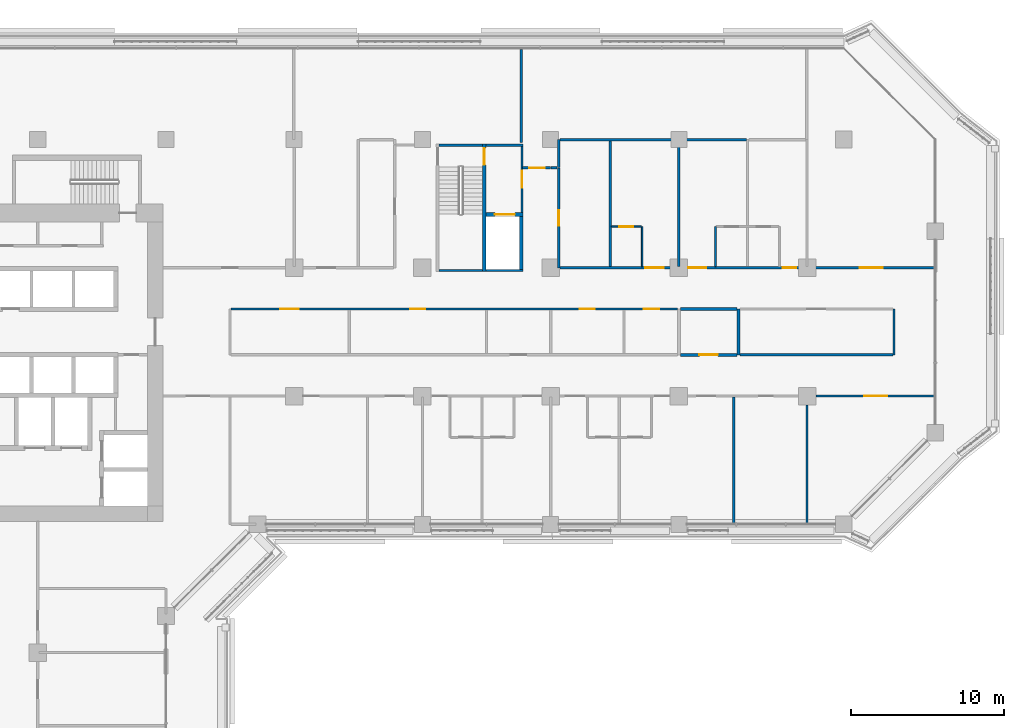
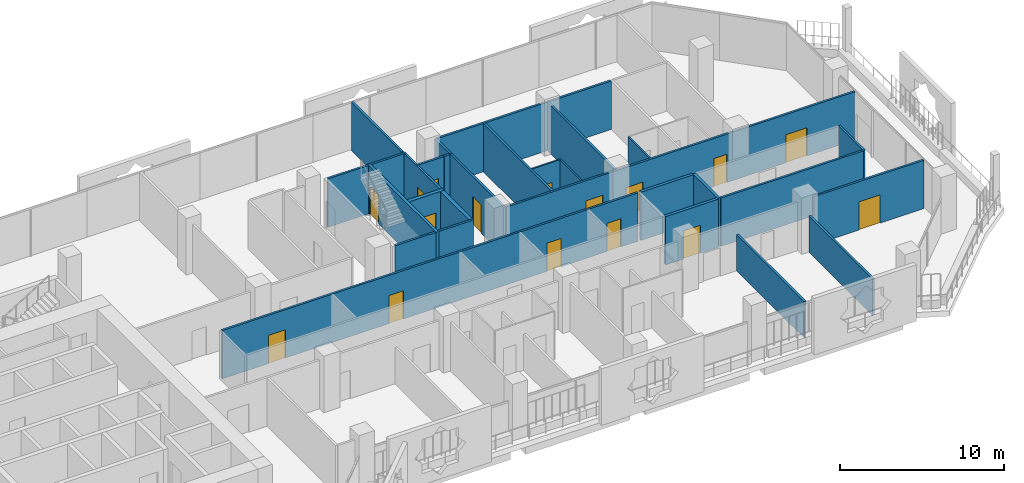
# One storey, part 16 of 25: 29 walls, 16 doors, 16 openings.
"""IFC4 building model written with IfcOpenShell, lengths in metres."""

from ifc_helpers import new_model, si_unit, direction, frame, frame_2d, origin, place, context, subcontext, project, spatial, rectangle, extrude, material, layer, layer_set, type_object, element, fill, save


model = new_model("IFC4")

# Units and contexts
model_context = context("Model", 3, precision=1e-05, world=origin(), true_north=direction((0.0, 1.0)))
body_context = subcontext(model_context, "Body", "Model", "MODEL_VIEW")
ifc_project = project(units=[si_unit("LENGTHUNIT", "METRE"), si_unit("AREAUNIT", "SQUARE_METRE"), si_unit("VOLUMEUNIT", "CUBIC_METRE"), si_unit("PLANEANGLEUNIT", "RADIAN"), si_unit("MASSUNIT", "GRAM", prefix="KILO")], contexts=[model_context])

# Site, building, storey
site_placement = place(None, origin())
site = spatial("IfcSite", under=ifc_project, at=site_placement, CompositionType="ELEMENT")
building_placement = place(site_placement, origin())
building = spatial("IfcBuilding", under=site, at=building_placement, Name="Kawkab Arch Medical Tower", CompositionType="ELEMENT")
storey_placement = place(building_placement, frame((0.0, 0.0, 124.0)))
storey = spatial("IfcBuildingStorey", under=building, at=storey_placement, Name="L28", CompositionType="ELEMENT", Elevation=124.0)

# Wall, opening, door
ifc_material_1 = material(Name="Gypsum board on steel studs", Category="steel")
ifc_layer_1 = layer(ifc_material_1, 0.14990234375)
ifc_layer_set_1 = layer_set([ifc_layer_1], Name="Gypsum board on steel studs")
wall_type_1 = type_object("IfcWallType", Name="Core room partition 150", PredefinedType="PARTITIONING", material=ifc_layer_set_1)
wall_1_placement = place(storey_placement, frame((48.52490234375, -4.77490234375, 0.0), z_axis=(0.0, 0.0, 1.0), x_axis=(0.0, 1.0, 0.0)))
wall_1 = element("IfcWall", 1, at=wall_1_placement, inside=storey, type_object=wall_type_1, Name="L28 core room partition", PredefinedType="PARTITIONING", context=body_context, shape_type="SweptSolid", body=[
    extrude(rectangle(XDim=4.324951171875, YDim=0.14990234375, at=frame_2d((2.16259765625, 0.0))), origin(), (0.0, 0.0, 1.0), 3.60009765625),
])
opening_1_placement = place(wall_1_placement, frame((1.625, 0.0, 0.0)))
opening_1 = element("IfcOpeningElement", 2, at=opening_1_placement, cuts=wall_1, Name="Opening FD", PredefinedType="OPENING", context=body_context, shape_type="SweptSolid", body=[
    extrude(rectangle(XDim=1.10009765625, YDim=2.10009765625, at=frame_2d((0.550048828125, 1.050048828125))), frame((0.0, 0.0849609375, 0.0), z_axis=(0.0, -1.0, 0.0), x_axis=(1.0, 0.0, 0.0)), (0.0, 0.0, 1.0), 0.169921875),
])
ifc_material_2 = material(Name="Hollow metal fire door leaf")
door_type_1 = type_object("IfcDoorType", Name="Firefighting lobby door 1100", OperationType="SINGLE_SWING_LEFT", PredefinedType="DOOR", material=ifc_material_2)
door_1_placement = place(opening_1_placement, origin())
door_1 = element("IfcDoor", 3, at=door_1_placement, inside=storey, type_object=door_type_1, Name="L28 Service lift lobby door SV1", OperationType="SINGLE_SWING_LEFT", OverallHeight=2.10009765625, OverallWidth=1.10009765625, PredefinedType="DOOR", context=body_context, shape_type="SweptSolid", body=[
    extrude(rectangle(XDim=1.10009765625, YDim=2.10009765625, at=frame_2d((0.550048828125, 1.050048828125))), frame((0.0, 0.02490234375, 0.0), z_axis=(0.0, -1.0, 0.0), x_axis=(1.0, 0.0, 0.0)), (0.0, 0.0, 1.0), 0.050048828125),
])
fill(opening_1, door_1)

ifc_material_3 = material(Name="Concrete C60/75", Category="concrete")
ifc_layer_2 = layer(ifc_material_3, 0.25)
ifc_layer_set_2 = layer_set([ifc_layer_2], Name="Concrete C60/75")
wall_type_2 = type_object("IfcWallType", Name="Core shear wall 250 C60/75", PredefinedType="SHEAR", material=ifc_layer_set_2)
wall_2_placement = place(storey_placement, frame((46.14990234375, -4.89990234375, 0.0), z_axis=(0.0, 0.0, 1.0), x_axis=(1.0, 0.0, 0.0)))
wall_2 = element("IfcWall", 4, at=wall_2_placement, inside=storey, type_object=wall_type_2, Name="L28 core shear wall", PredefinedType="SHEAR", context=body_context, shape_type="SweptSolid", body=[
    extrude(rectangle(XDim=2.4501953125, YDim=0.25, at=frame_2d((1.22509765625, 0.0))), origin(), (0.0, 0.0, 1.0), 3.60009765625),
])
opening_2_placement = place(wall_2_placement, frame((0.60009765625, 0.0, 0.0)))
opening_2 = element("IfcOpeningElement", 5, at=opening_2_placement, cuts=wall_2, Name="Opening LD2", PredefinedType="OPENING", context=body_context, shape_type="SweptSolid", body=[
    extrude(rectangle(XDim=1.300048828125, YDim=2.10009765625, at=frame_2d((0.64990234375, 1.050048828125))), frame((0.0, 0.135009765625, 0.0), z_axis=(0.0, -1.0, 0.0), x_axis=(1.0, 0.0, 0.0)), (0.0, 0.0, 1.0), 0.27001953125),
])
ifc_material_4 = material(Name="Stainless steel lift door leaf", Category="steel")
door_type_2 = type_object("IfcDoorType", Name="Lift landing door 1300", OperationType="DOUBLE_DOOR_SLIDING", PredefinedType="DOOR", material=ifc_material_4)
door_2_placement = place(opening_2_placement, origin())
door_2 = element("IfcDoor", 6, at=door_2_placement, inside=storey, type_object=door_type_2, Name="L28 Lift landing door SV1", OperationType="DOUBLE_DOOR_SLIDING", OverallHeight=2.10009765625, OverallWidth=1.300048828125, PredefinedType="DOOR", context=body_context, shape_type="SweptSolid", body=[
    extrude(rectangle(XDim=1.300048828125, YDim=2.10009765625, at=frame_2d((0.64990234375, 1.050048828125))), frame((0.0, 0.02490234375, 0.0), z_axis=(0.0, -1.0, 0.0), x_axis=(1.0, 0.0, 0.0)), (0.0, 0.0, 1.0), 0.050048828125),
])
fill(opening_2, door_2)

# Wall
wall_3_placement = place(storey_placement, frame((48.47509765625, -8.5, 0.0), z_axis=(0.0, 0.0, 1.0), x_axis=(0.0, 1.0, 0.0)))
element("IfcWall", 7, at=wall_3_placement, inside=storey, type_object=wall_type_2, Name="L28 core shear wall", PredefinedType="SHEAR", context=body_context, shape_type="SweptSolid", body=[
    extrude(rectangle(XDim=3.47509765625, YDim=0.25, at=frame_2d((1.737548828125, 0.0))), origin(), (0.0, 0.0, 1.0), 3.60009765625),
])

# Wall, opening, door
ifc_material_5 = material(Name="Gypsum board partition on steel studs", Category="steel")
ifc_layer_3 = layer(ifc_material_5, 0.10009765625)
ifc_layer_set_3 = layer_set([ifc_layer_3], Name="Gypsum board partition on steel studs")
wall_type_3 = type_object("IfcWallType", Name="Partition 100", PredefinedType="PARTITIONING", material=ifc_layer_set_3)
wall_4_placement = place(storey_placement, frame((54.375, -5.699951171875, 0.0), z_axis=(0.0, 0.0, 1.0), x_axis=(1.0, 0.0, 0.0)))
wall_4 = element("IfcWall", 8, at=wall_4_placement, inside=storey, type_object=wall_type_3, Name="Partition 100 w007", PredefinedType="PARTITIONING", context=body_context, shape_type="SweptSolid", body=[
    extrude(rectangle(XDim=1.97509765625, YDim=0.10009765625, at=frame_2d((0.987548828125, 0.0))), origin(), (0.0, 0.0, 1.0), 3.60009765625),
])
opening_3_placement = place(wall_4_placement, frame((0.52490234375, 0.0, 0.0)))
opening_3 = element("IfcOpeningElement", 9, at=opening_3_placement, cuts=wall_4, Name="Opening W28-005", PredefinedType="OPENING", context=body_context, shape_type="SweptSolid", body=[
    extrude(rectangle(XDim=0.89990234375, YDim=2.10009765625, at=frame_2d((0.449951171875, 1.050048828125))), frame((0.0, 0.06005859375, 0.0), z_axis=(0.0, -1.0, 0.0), x_axis=(1.0, 0.0, 0.0)), (0.0, 0.0, 1.0), 0.1201171875),
])
ifc_material_6 = material(Name="Timber door leaf", Category="wood")
door_type_3 = type_object("IfcDoorType", Name="Single door 900x2100", OperationType="NOTDEFINED", PredefinedType="DOOR", material=ifc_material_6)
door_3_placement = place(opening_3_placement, origin())
door_3 = element("IfcDoor", 10, at=door_3_placement, inside=storey, type_object=door_type_3, Name="Door W28-005", OperationType="SINGLE_SWING_LEFT", OverallHeight=2.10009765625, OverallWidth=0.89990234375, PredefinedType="DOOR", context=body_context, shape_type="SweptSolid", body=[
    extrude(rectangle(XDim=0.89990234375, YDim=2.10009765625, at=frame_2d((0.449951171875, 1.050048828125))), frame((0.0, 0.02490234375, 0.0), z_axis=(0.0, -1.0, 0.0), x_axis=(1.0, 0.0, 0.0)), (0.0, 0.0, 1.0), 0.050048828125),
])
fill(opening_3, door_3)

# Walls
for number, where, z_axis, x_axis, name in (
    (11, (56.39990234375, -8.324951171875, 0.0), (0.0, 0.0, 1.0), (0.0, 1.0, 0.0), "Partition 100 w015"),
    (12, (61.199951171875, -8.324951171875, 0.0), (0.0, 0.0, 1.0), (0.0, 1.0, 0.0), "Partition 100 w017"),
):
    element("IfcWall", number, at=place(storey_placement, frame(where, z_axis=z_axis, x_axis=x_axis)), inside=storey, type_object=wall_type_3, Name=name, PredefinedType="PARTITIONING", context=body_context, shape_type="SweptSolid", body=[
        extrude(rectangle(XDim=2.625, YDim=0.10009765625, at=frame_2d((1.3125, 0.0))), origin(), (0.0, 0.0, 1.0), 3.60009765625),
    ])

# Wall, opening, door
ifc_material_7 = material(Name="Gypsum board partition on steel studs, mineral wool", Category="steel")
ifc_layer_4 = layer(ifc_material_7, 0.14990234375)
ifc_layer_set_4 = layer_set([ifc_layer_4], Name="Gypsum board partition on steel studs, mineral wool")
wall_type_4 = type_object("IfcWallType", Name="Partition 150", PredefinedType="PARTITIONING", material=ifc_layer_set_4)
wall_5_placement = place(storey_placement, frame((67.77490234375, -16.800048828125, 0.0), z_axis=(0.0, 0.0, 1.0), x_axis=(1.0, 0.0, 0.0)))
wall_5 = element("IfcWall", 13, at=wall_5_placement, inside=storey, type_object=wall_type_4, Name="Partition 150 w038", PredefinedType="PARTITIONING", context=body_context, shape_type="SweptSolid", body=[
    extrude(rectangle(XDim=7.7451171875, YDim=0.14990234375, at=frame_2d((3.87255859375, 0.0))), origin(), (0.0, 0.0, 1.0), 3.60009765625),
])
opening_4_placement = place(wall_5_placement, frame((3.162109375, 0.0, 0.0)))
opening_4 = element("IfcOpeningElement", 14, at=opening_4_placement, cuts=wall_5, Name="Opening W28-003", PredefinedType="OPENING", context=body_context, shape_type="SweptSolid", body=[
    extrude(rectangle(XDim=1.5, YDim=2.10009765625, at=frame_2d((0.75, 1.050048828125))), frame((0.0, 0.0849609375, 0.0), z_axis=(0.0, -1.0, 0.0), x_axis=(1.0, 0.0, 0.0)), (0.0, 0.0, 1.0), 0.169921875),
])
ifc_material_8 = material(Name="Hollow metal door leaf")
door_type_4 = type_object("IfcDoorType", Name="Double door 1500x2100 FD30S", OperationType="NOTDEFINED", PredefinedType="DOOR", material=ifc_material_8)
door_4_placement = place(opening_4_placement, origin())
door_4 = element("IfcDoor", 15, at=door_4_placement, inside=storey, type_object=door_type_4, Name="Door W28-003", OperationType="DOUBLE_DOOR_SINGLE_SWING", OverallHeight=2.10009765625, OverallWidth=1.5, PredefinedType="DOOR", context=body_context, shape_type="SweptSolid", body=[
    extrude(rectangle(XDim=1.5, YDim=2.10009765625, at=frame_2d((0.75, 1.050048828125))), frame((0.0, 0.02490234375, 0.0), z_axis=(0.0, -1.0, 0.0), x_axis=(1.0, 0.0, 0.0)), (0.0, 0.0, 1.0), 0.050048828125),
])
fill(opening_4, door_4)

# Wall
wall_6_placement = place(storey_placement, frame((62.800048828125, -14.10009765625, 0.0), z_axis=(0.0, 0.0, 1.0), x_axis=(1.0, 0.0, 0.0)))
element("IfcWall", 16, at=wall_6_placement, inside=storey, type_object=wall_type_4, Name="Partition 150 w040", PredefinedType="PARTITIONING", context=body_context, shape_type="SweptSolid", body=[
    extrude(rectangle(XDim=10.02490234375, YDim=0.14990234375, at=frame_2d((5.012451171875, 0.0))), origin(), (0.0, 0.0, 1.0), 3.60009765625),
])

# Wall, openings, doors
wall_7_placement = place(storey_placement, frame((29.47509765625, -11.10009765625, 0.0), z_axis=(0.0, 0.0, 1.0), x_axis=(1.0, 0.0, 0.0)))
wall_7 = element("IfcWall", 17, at=wall_7_placement, inside=storey, type_object=wall_type_4, Name="Partition 150 w041", PredefinedType="PARTITIONING", context=body_context, shape_type="SweptSolid", body=[
    extrude(rectangle(XDim=29.224853515625, YDim=0.14990234375, at=frame_2d((14.6123046875, 0.0))), origin(), (0.0, 0.0, 1.0), 3.60009765625),
])
opening_5_placement = place(wall_7_placement, frame((3.22509765625, 0.0, 0.0)))
opening_5 = element("IfcOpeningElement", 18, at=opening_5_placement, cuts=wall_7, Name="Opening W28-037", PredefinedType="OPENING", context=body_context, shape_type="SweptSolid", body=[
    extrude(rectangle(XDim=1.199951171875, YDim=2.10009765625, at=frame_2d((0.60009765625, 1.050048828125))), frame((0.0, 0.0849609375, 0.0), z_axis=(0.0, -1.0, 0.0), x_axis=(1.0, 0.0, 0.0)), (0.0, 0.0, 1.0), 0.169921875),
])
opening_6_placement = place(wall_7_placement, frame((11.72509765625, 0.0, 0.0)))
opening_6 = element("IfcOpeningElement", 19, at=opening_6_placement, cuts=wall_7, Name="Opening W28-026", PredefinedType="OPENING", context=body_context, shape_type="SweptSolid", body=[
    extrude(rectangle(XDim=1.0, YDim=2.10009765625, at=frame_2d((0.5, 1.050048828125))), frame((0.0, 0.0849609375, 0.0), z_axis=(0.0, -1.0, 0.0), x_axis=(1.0, 0.0, 0.0)), (0.0, 0.0, 1.0), 0.169921875),
])
opening_7_placement = place(wall_7_placement, frame((22.824951171875, 0.0, 0.0)))
opening_7 = element("IfcOpeningElement", 20, at=opening_7_placement, cuts=wall_7, Name="Opening W28-021", PredefinedType="OPENING", context=body_context, shape_type="SweptSolid", body=[
    extrude(rectangle(XDim=1.0, YDim=2.10009765625, at=frame_2d((0.5, 1.050048828125))), frame((0.0, 0.0849609375, 0.0), z_axis=(0.0, -1.0, 0.0), x_axis=(1.0, 0.0, 0.0)), (0.0, 0.0, 1.0), 0.169921875),
])
opening_8_placement = place(wall_7_placement, frame((27.02490234375, 0.0, 0.0)))
opening_8 = element("IfcOpeningElement", 21, at=opening_8_placement, cuts=wall_7, Name="Opening W28-028", PredefinedType="OPENING", context=body_context, shape_type="SweptSolid", body=[
    extrude(rectangle(XDim=1.0, YDim=2.10009765625, at=frame_2d((0.5, 1.050048828125))), frame((0.0, 0.0849609375, 0.0), z_axis=(0.0, -1.0, 0.0), x_axis=(1.0, 0.0, 0.0)), (0.0, 0.0, 1.0), 0.169921875),
])
ifc_material_9 = material(Name="Timber door leaf", Category="wood")
door_type_5 = type_object("IfcDoorType", Name="Single door 1000x2100", OperationType="NOTDEFINED", PredefinedType="DOOR", material=ifc_material_9)
door_5_placement = place(opening_7_placement, origin())
door_5 = element("IfcDoor", 22, at=door_5_placement, inside=storey, type_object=door_type_5, Name="Door W28-021", OperationType="SINGLE_SWING_LEFT", OverallHeight=2.10009765625, OverallWidth=1.0, PredefinedType="DOOR", context=body_context, shape_type="SweptSolid", body=[
    extrude(rectangle(XDim=1.0, YDim=2.10009765625, at=frame_2d((0.5, 1.050048828125))), frame((0.0, 0.02490234375, 0.0), z_axis=(0.0, -1.0, 0.0), x_axis=(1.0, 0.0, 0.0)), (0.0, 0.0, 1.0), 0.050048828125),
])
fill(opening_7, door_5)
ifc_material_10 = material(Name="Hollow metal door leaf")
door_type_6 = type_object("IfcDoorType", Name="Single door 1000x2100 FD30S", OperationType="NOTDEFINED", PredefinedType="DOOR", material=ifc_material_10)
door_6_placement = place(opening_6_placement, origin())
door_6 = element("IfcDoor", 23, at=door_6_placement, inside=storey, type_object=door_type_6, Name="Door W28-026", OperationType="SINGLE_SWING_RIGHT", OverallHeight=2.10009765625, OverallWidth=1.0, PredefinedType="DOOR", context=body_context, shape_type="SweptSolid", body=[
    extrude(rectangle(XDim=1.0, YDim=2.10009765625, at=frame_2d((0.5, 1.050048828125))), frame((0.0, 0.02490234375, 0.0), z_axis=(0.0, -1.0, 0.0), x_axis=(1.0, 0.0, 0.0)), (0.0, 0.0, 1.0), 0.050048828125),
])
fill(opening_6, door_6)
door_7_placement = place(opening_8_placement, origin())
door_7 = element("IfcDoor", 24, at=door_7_placement, inside=storey, type_object=door_type_6, Name="Door W28-028", OperationType="SINGLE_SWING_LEFT", OverallHeight=2.10009765625, OverallWidth=1.0, PredefinedType="DOOR", context=body_context, shape_type="SweptSolid", body=[
    extrude(rectangle(XDim=1.0, YDim=2.10009765625, at=frame_2d((0.5, 1.050048828125))), frame((0.0, 0.02490234375, 0.0), z_axis=(0.0, -1.0, 0.0), x_axis=(1.0, 0.0, 0.0)), (0.0, 0.0, 1.0), 0.050048828125),
])
fill(opening_8, door_7)
ifc_material_11 = material(Name="Hollow metal door leaf")
door_type_7 = type_object("IfcDoorType", Name="Single door 1200x2100 FD30S", OperationType="NOTDEFINED", PredefinedType="DOOR", material=ifc_material_11)
door_8_placement = place(opening_5_placement, origin())
door_8 = element("IfcDoor", 25, at=door_8_placement, inside=storey, type_object=door_type_7, Name="Door W28-037", OperationType="SINGLE_SWING_RIGHT", OverallHeight=2.10009765625, OverallWidth=1.199951171875, PredefinedType="DOOR", context=body_context, shape_type="SweptSolid", body=[
    extrude(rectangle(XDim=1.199951171875, YDim=2.10009765625, at=frame_2d((0.60009765625, 1.050048828125))), frame((0.0, 0.02490234375, 0.0), z_axis=(0.0, -1.0, 0.0), x_axis=(1.0, 0.0, 0.0)), (0.0, 0.0, 1.0), 0.050048828125),
])
fill(opening_5, door_8)

wall_8_placement = place(storey_placement, frame((51.0, -8.39990234375, 0.0), z_axis=(0.0, 0.0, 1.0), x_axis=(1.0, 0.0, 0.0)))
wall_8 = element("IfcWall", 26, at=wall_8_placement, inside=storey, type_object=wall_type_4, Name="Partition 150 w044", PredefinedType="PARTITIONING", context=body_context, shape_type="SweptSolid", body=[
    extrude(rectangle(XDim=24.52001953125, YDim=0.14990234375, at=frame_2d((12.260009765625, 0.0))), origin(), (0.0, 0.0, 1.0), 3.60009765625),
])
opening_9_placement = place(wall_8_placement, frame((5.60009765625, 0.0, 0.0)))
opening_9 = element("IfcOpeningElement", 27, at=opening_9_placement, cuts=wall_8, Name="Opening W28-035", PredefinedType="OPENING", context=body_context, shape_type="SweptSolid", body=[
    extrude(rectangle(XDim=1.199951171875, YDim=2.10009765625, at=frame_2d((0.60009765625, 1.050048828125))), frame((0.0, 0.0849609375, 0.0), z_axis=(0.0, -1.0, 0.0), x_axis=(1.0, 0.0, 0.0)), (0.0, 0.0, 1.0), 0.169921875),
])
opening_10_placement = place(wall_8_placement, frame((8.39990234375, 0.0, 0.0)))
opening_10 = element("IfcOpeningElement", 28, at=opening_10_placement, cuts=wall_8, Name="Opening W28-036", PredefinedType="OPENING", context=body_context, shape_type="SweptSolid", body=[
    extrude(rectangle(XDim=1.199951171875, YDim=2.10009765625, at=frame_2d((0.60009765625, 1.050048828125))), frame((0.0, 0.0849609375, 0.0), z_axis=(0.0, -1.0, 0.0), x_axis=(1.0, 0.0, 0.0)), (0.0, 0.0, 1.0), 0.169921875),
])
opening_11_placement = place(wall_8_placement, frame((14.60009765625, 0.0, 0.0)))
opening_11 = element("IfcOpeningElement", 29, at=opening_11_placement, cuts=wall_8, Name="Opening W28-017", PredefinedType="OPENING", context=body_context, shape_type="SweptSolid", body=[
    extrude(rectangle(XDim=0.89990234375, YDim=2.10009765625, at=frame_2d((0.449951171875, 1.050048828125))), frame((0.0, 0.0849609375, 0.0), z_axis=(0.0, -1.0, 0.0), x_axis=(1.0, 0.0, 0.0)), (0.0, 0.0, 1.0), 0.169921875),
])
opening_12_placement = place(wall_8_placement, frame((19.64990234375, 0.0, 0.0)))
opening_12 = element("IfcOpeningElement", 30, at=opening_12_placement, cuts=wall_8, Name="Opening W28-002", PredefinedType="OPENING", context=body_context, shape_type="SweptSolid", body=[
    extrude(rectangle(XDim=1.5, YDim=2.10009765625, at=frame_2d((0.75, 1.050048828125))), frame((0.0, 0.0849609375, 0.0), z_axis=(0.0, -1.0, 0.0), x_axis=(1.0, 0.0, 0.0)), (0.0, 0.0, 1.0), 0.169921875),
])
door_9_placement = place(opening_12_placement, origin())
door_9 = element("IfcDoor", 31, at=door_9_placement, inside=storey, type_object=door_type_4, Name="Door W28-002", OperationType="DOUBLE_DOOR_SINGLE_SWING", OverallHeight=2.10009765625, OverallWidth=1.5, PredefinedType="DOOR", context=body_context, shape_type="SweptSolid", body=[
    extrude(rectangle(XDim=1.5, YDim=2.10009765625, at=frame_2d((0.75, 1.050048828125))), frame((0.0, 0.02490234375, 0.0), z_axis=(0.0, -1.0, 0.0), x_axis=(1.0, 0.0, 0.0)), (0.0, 0.0, 1.0), 0.050048828125),
])
fill(opening_12, door_9)
door_10_placement = place(opening_9_placement, origin())
door_10 = element("IfcDoor", 32, at=door_10_placement, inside=storey, type_object=door_type_7, Name="Door W28-035", OperationType="SINGLE_SWING_LEFT", OverallHeight=2.10009765625, OverallWidth=1.199951171875, PredefinedType="DOOR", context=body_context, shape_type="SweptSolid", body=[
    extrude(rectangle(XDim=1.199951171875, YDim=2.10009765625, at=frame_2d((0.60009765625, 1.050048828125))), frame((0.0, 0.02490234375, 0.0), z_axis=(0.0, -1.0, 0.0), x_axis=(1.0, 0.0, 0.0)), (0.0, 0.0, 1.0), 0.050048828125),
])
fill(opening_9, door_10)
door_11_placement = place(opening_10_placement, origin())
door_11 = element("IfcDoor", 33, at=door_11_placement, inside=storey, type_object=door_type_7, Name="Door W28-036", OperationType="SINGLE_SWING_LEFT", OverallHeight=2.10009765625, OverallWidth=1.199951171875, PredefinedType="DOOR", context=body_context, shape_type="SweptSolid", body=[
    extrude(rectangle(XDim=1.199951171875, YDim=2.10009765625, at=frame_2d((0.60009765625, 1.050048828125))), frame((0.0, 0.02490234375, 0.0), z_axis=(0.0, -1.0, 0.0), x_axis=(1.0, 0.0, 0.0)), (0.0, 0.0, 1.0), 0.050048828125),
])
fill(opening_10, door_11)
ifc_material_12 = material(Name="Hollow metal door leaf")
door_type_8 = type_object("IfcDoorType", Name="Single door 900x2100 FD30S", OperationType="NOTDEFINED", PredefinedType="DOOR", material=ifc_material_12)
door_12_placement = place(opening_11_placement, origin())
door_12 = element("IfcDoor", 34, at=door_12_placement, inside=storey, type_object=door_type_8, Name="Door W28-017", OperationType="SINGLE_SWING_RIGHT", OverallHeight=2.10009765625, OverallWidth=0.89990234375, PredefinedType="DOOR", context=body_context, shape_type="SweptSolid", body=[
    extrude(rectangle(XDim=0.89990234375, YDim=2.10009765625, at=frame_2d((0.449951171875, 1.050048828125))), frame((0.0, 0.02490234375, 0.0), z_axis=(0.0, -1.0, 0.0), x_axis=(1.0, 0.0, 0.0)), (0.0, 0.0, 1.0), 0.050048828125),
])
fill(opening_11, door_12)

# Wall, opening, door
wall_9_placement = place(storey_placement, frame((48.550048828125, -1.85009765625, 0.0), z_axis=(0.0, 0.0, 1.0), x_axis=(1.0, 0.0, 0.0)))
wall_9 = element("IfcWall", 35, at=wall_9_placement, inside=storey, type_object=wall_type_4, Name="Partition 150 w045", PredefinedType="PARTITIONING", context=body_context, shape_type="SweptSolid", body=[
    extrude(rectangle(XDim=1.849853515625, YDim=0.14990234375, at=frame_2d((0.9248046875, 0.0))), origin(), (0.0, 0.0, 1.0), 3.60009765625),
])
opening_13_placement = place(wall_9_placement, frame((0.449951171875, 0.0, 0.0)))
opening_13 = element("IfcOpeningElement", 36, at=opening_13_placement, cuts=wall_9, Name="Opening W28-024", PredefinedType="OPENING", context=body_context, shape_type="SweptSolid", body=[
    extrude(rectangle(XDim=1.0, YDim=2.10009765625, at=frame_2d((0.5, 1.050048828125))), frame((0.0, 0.0849609375, 0.0), z_axis=(0.0, -1.0, 0.0), x_axis=(1.0, 0.0, 0.0)), (0.0, 0.0, 1.0), 0.169921875),
])
door_13_placement = place(opening_13_placement, origin())
door_13 = element("IfcDoor", 37, at=door_13_placement, inside=storey, type_object=door_type_6, Name="Door W28-024", OperationType="SINGLE_SWING_RIGHT", OverallHeight=2.10009765625, OverallWidth=1.0, PredefinedType="DOOR", context=body_context, shape_type="SweptSolid", body=[
    extrude(rectangle(XDim=1.0, YDim=2.10009765625, at=frame_2d((0.5, 1.050048828125))), frame((0.0, 0.02490234375, 0.0), z_axis=(0.0, -1.0, 0.0), x_axis=(1.0, 0.0, 0.0)), (0.0, 0.0, 1.0), 0.050048828125),
])
fill(opening_13, door_13)

# Walls
wall_10_placement = place(storey_placement, frame((50.419921875, -1.85009765625, 0.0), z_axis=(0.0, 0.0, 1.0), x_axis=(1.0, 0.0, 0.0)))
element("IfcWall", 38, at=wall_10_placement, inside=storey, type_object=wall_type_4, Name="Partition 150 w046", PredefinedType="PARTITIONING", context=body_context, shape_type="SweptSolid", body=[
    extrude(rectangle(XDim=0.41015625, YDim=0.14990234375, at=frame_2d((0.205078125, 0.0))), origin(), (0.0, 0.0, 1.0), 3.60009765625),
])
wall_11_placement = place(storey_placement, frame((51.0029296875, 0.0, 0.0), z_axis=(0.0, 0.0, 1.0), x_axis=(1.0, 0.0, 0.0)))
element("IfcWall", 39, at=wall_11_placement, inside=storey, type_object=wall_type_4, Name="Partition 150 w050", PredefinedType="PARTITIONING", context=body_context, shape_type="SweptSolid", body=[
    extrude(rectangle(XDim=12.22216796875, YDim=0.14990234375, at=frame_2d((6.111083984375, 0.0))), origin(), (0.0, 0.0, 1.0), 3.60009765625),
])
wall_12_placement = place(storey_placement, frame((48.47998046875, -0.199951171875, 0.0), z_axis=(0.0, 0.0, 1.0), x_axis=(0.0, 1.0, 0.0)))
element("IfcWall", 40, at=wall_12_placement, inside=storey, type_object=wall_type_4, Name="Partition 150 w073", PredefinedType="PARTITIONING", context=body_context, shape_type="SweptSolid", body=[
    extrude(rectangle(XDim=6.119873046875, YDim=0.14990234375, at=frame_2d((3.06005859375, 0.0))), origin(), (0.0, 0.0, 1.0), 3.60009765625),
])

# Wall, opening, door
wall_13_placement = place(storey_placement, frame((50.925048828125, -8.39990234375, 0.0), z_axis=(0.0, 0.0, 1.0), x_axis=(0.0, 1.0, 0.0)))
wall_13 = element("IfcWall", 41, at=wall_13_placement, inside=storey, type_object=wall_type_4, Name="Partition 150 w076", PredefinedType="PARTITIONING", context=body_context, shape_type="SweptSolid", body=[
    extrude(rectangle(XDim=6.5498046875, YDim=0.14990234375, at=frame_2d((3.27490234375, 0.0))), origin(), (0.0, 0.0, 1.0), 3.60009765625),
])
opening_14_placement = place(wall_13_placement, frame((2.77490234375, 0.0, 0.0)))
opening_14 = element("IfcOpeningElement", 42, at=opening_14_placement, cuts=wall_13, Name="Opening W28-025", PredefinedType="OPENING", context=body_context, shape_type="SweptSolid", body=[
    extrude(rectangle(XDim=1.0, YDim=2.10009765625, at=frame_2d((0.5, 1.050048828125))), frame((0.0, 0.0849609375, 0.0), z_axis=(0.0, -1.0, 0.0), x_axis=(1.0, 0.0, 0.0)), (0.0, 0.0, 1.0), 0.169921875),
])
door_14_placement = place(opening_14_placement, origin())
door_14 = element("IfcDoor", 43, at=door_14_placement, inside=storey, type_object=door_type_6, Name="Door W28-025", OperationType="SINGLE_SWING_RIGHT", OverallHeight=2.10009765625, OverallWidth=1.0, PredefinedType="DOOR", context=body_context, shape_type="SweptSolid", body=[
    extrude(rectangle(XDim=1.0, YDim=2.10009765625, at=frame_2d((0.5, 1.050048828125))), frame((0.0, 0.02490234375, 0.0), z_axis=(0.0, -1.0, 0.0), x_axis=(1.0, 0.0, 0.0)), (0.0, 0.0, 1.0), 0.050048828125),
])
fill(opening_14, door_14)

# Walls
wall_14_placement = place(storey_placement, frame((50.925048828125, -1.830078125, 0.0), z_axis=(0.0, 0.0, 1.0), x_axis=(0.0, 1.0, 0.0)))
element("IfcWall", 44, at=wall_14_placement, inside=storey, type_object=wall_type_4, Name="Partition 150 w077", PredefinedType="PARTITIONING", context=body_context, shape_type="SweptSolid", body=[
    extrude(rectangle(XDim=1.8271484375, YDim=0.14990234375, at=frame_2d((0.91357421875, 0.0))), origin(), (0.0, 0.0, 1.0), 3.60009765625),
])
for number, where, z_axis, x_axis, name in (
    (45, (54.300048828125, -8.324951171875, 0.0), (0.0, 0.0, 1.0), (0.0, 1.0, 0.0), "Partition 150 w078"),
    (46, (58.800048828125, -8.324951171875, 0.0), (0.0, 0.0, 1.0), (0.0, 1.0, 0.0), "Partition 150 w081"),
):
    element("IfcWall", number, at=place(storey_placement, frame(where, z_axis=z_axis, x_axis=x_axis)), inside=storey, type_object=wall_type_4, Name=name, PredefinedType="PARTITIONING", context=body_context, shape_type="SweptSolid", body=[
        extrude(rectangle(XDim=8.25, YDim=0.14990234375, at=frame_2d((4.125, 0.0))), origin(), (0.0, 0.0, 1.0), 3.60009765625),
    ])
wall_15_placement = place(storey_placement, frame((62.39990234375, -25.1201171875, 0.0), z_axis=(0.0, 0.0, 1.0), x_axis=(0.0, 1.0, 0.0)))
element("IfcWall", 47, at=wall_15_placement, inside=storey, type_object=wall_type_4, Name="Partition 150 w082", PredefinedType="PARTITIONING", context=body_context, shape_type="SweptSolid", body=[
    extrude(rectangle(XDim=8.2451171875, YDim=0.14990234375, at=frame_2d((4.12255859375, 0.0))), origin(), (0.0, 0.0, 1.0), 2.699951171875),
])
wall_16_placement = place(storey_placement, frame((67.199951171875, -25.1201171875, 0.0), z_axis=(0.0, 0.0, 1.0), x_axis=(0.0, 1.0, 0.0)))
element("IfcWall", 48, at=wall_16_placement, inside=storey, type_object=wall_type_4, Name="Partition 150 w085", PredefinedType="PARTITIONING", context=body_context, shape_type="SweptSolid", body=[
    extrude(rectangle(XDim=7.7451171875, YDim=0.14990234375, at=frame_2d((3.87255859375, 0.0))), origin(), (0.0, 0.0, 1.0), 2.699951171875),
])
wall_17_placement = place(storey_placement, frame((72.89990234375, -14.10009765625, 0.0), z_axis=(0.0, 0.0, 1.0), x_axis=(0.0, 1.0, 0.0)))
element("IfcWall", 49, at=wall_17_placement, inside=storey, type_object=wall_type_4, Name="Partition 150 w087", PredefinedType="PARTITIONING", context=body_context, shape_type="SweptSolid", body=[
    extrude(rectangle(XDim=3.0, YDim=0.14990234375, at=frame_2d((1.5, 0.0))), origin(), (0.0, 0.0, 1.0), 3.60009765625),
])

# Wall, opening, door
ifc_material_13 = material(Name="Fire-rated gypsum board partition on steel studs", Category="steel")
ifc_layer_5 = layer(ifc_material_13, 0.199951171875)
ifc_layer_set_5 = layer_set([ifc_layer_5], Name="Fire-rated gypsum board partition on steel studs")
wall_type_5 = type_object("IfcWallType", Name="Protected partition 200", PredefinedType="PARTITIONING", material=ifc_layer_set_5)
wall_18_placement = place(storey_placement, frame((58.89990234375, -14.10009765625, 0.0), z_axis=(0.0, 0.0, 1.0), x_axis=(1.0, 0.0, 0.0)))
wall_18 = element("IfcWall", 50, at=wall_18_placement, inside=storey, type_object=wall_type_5, Name="Protected partition 200 w088", PredefinedType="PARTITIONING", context=body_context, shape_type="SweptSolid", body=[
    extrude(rectangle(XDim=3.7001953125, YDim=0.199951171875, at=frame_2d((1.85009765625, 0.0))), origin(), (0.0, 0.0, 1.0), 3.60009765625),
])
opening_15_placement = place(wall_18_placement, frame((1.25, 0.0, 0.0)))
opening_15 = element("IfcOpeningElement", 51, at=opening_15_placement, cuts=wall_18, Name="Opening W28-053", PredefinedType="OPENING", context=body_context, shape_type="SweptSolid", body=[
    extrude(rectangle(XDim=1.199951171875, YDim=2.10009765625, at=frame_2d((0.60009765625, 1.050048828125))), frame((0.0, 0.10986328125, 0.0), z_axis=(0.0, -1.0, 0.0), x_axis=(1.0, 0.0, 0.0)), (0.0, 0.0, 1.0), 0.219970703125),
])
ifc_material_14 = material(Name="Hollow metal door leaf")
door_type_9 = type_object("IfcDoorType", Name="Single door 1200x2100 FD60", OperationType="NOTDEFINED", PredefinedType="DOOR", material=ifc_material_14)
door_15_placement = place(opening_15_placement, origin())
door_15 = element("IfcDoor", 52, at=door_15_placement, inside=storey, type_object=door_type_9, Name="Door W28-053", OperationType="SINGLE_SWING_RIGHT", OverallHeight=2.10009765625, OverallWidth=1.199951171875, PredefinedType="DOOR", context=body_context, shape_type="SweptSolid", body=[
    extrude(rectangle(XDim=1.199951171875, YDim=2.10009765625, at=frame_2d((0.60009765625, 1.050048828125))), frame((0.0, 0.02490234375, 0.0), z_axis=(0.0, -1.0, 0.0), x_axis=(1.0, 0.0, 0.0)), (0.0, 0.0, 1.0), 0.050048828125),
])
fill(opening_15, door_15)

# Walls
wall_19_placement = place(storey_placement, frame((58.89990234375, -11.10009765625, 0.0), z_axis=(0.0, 0.0, 1.0), x_axis=(1.0, 0.0, 0.0)))
element("IfcWall", 53, at=wall_19_placement, inside=storey, type_object=wall_type_5, Name="Protected partition 200 w089", PredefinedType="PARTITIONING", context=body_context, shape_type="SweptSolid", body=[
    extrude(rectangle(XDim=3.7001953125, YDim=0.199951171875, at=frame_2d((1.85009765625, 0.0))), origin(), (0.0, 0.0, 1.0), 3.60009765625),
])
wall_20_placement = place(storey_placement, frame((62.699951171875, -14.10009765625, 0.0), z_axis=(0.0, 0.0, 1.0), x_axis=(0.0, 1.0, 0.0)))
element("IfcWall", 54, at=wall_20_placement, inside=storey, type_object=wall_type_5, Name="Protected partition 200 w091", PredefinedType="PARTITIONING", context=body_context, shape_type="SweptSolid", body=[
    extrude(rectangle(XDim=3.0, YDim=0.199951171875, at=frame_2d((1.5, 0.0))), origin(), (0.0, 0.0, 1.0), 3.60009765625),
])
ifc_material_15 = material(Name="Concrete C50/60", Category="concrete")
ifc_layer_6 = layer(ifc_material_15, 0.14990234375)
ifc_layer_set_6 = layer_set([ifc_layer_6], Name="Concrete C50/60")
wall_type_6 = type_object("IfcWallType", Name="Stair enclosure wall 150 C50/60", PredefinedType="SHEAR", material=ifc_layer_set_6)
wall_21_placement = place(storey_placement, frame((43.10009765625, -0.375, 0.0), z_axis=(0.0, 0.0, 1.0), x_axis=(1.0, 0.0, 0.0)))
element("IfcWall", 55, at=wall_21_placement, inside=storey, type_object=wall_type_6, Name="L28 stair enclosure wall", PredefinedType="SHEAR", context=body_context, shape_type="SweptSolid", body=[
    extrude(rectangle(XDim=2.849853515625, YDim=0.14990234375, at=frame_2d((1.4248046875, 0.0))), origin(), (0.0, 0.0, 1.0), 3.60009765625),
])
wall_22_placement = place(storey_placement, frame((46.14990234375, -0.375, 0.0), z_axis=(0.0, 0.0, 1.0), x_axis=(1.0, 0.0, 0.0)))
element("IfcWall", 56, at=wall_22_placement, inside=storey, type_object=wall_type_6, Name="L28 stair enclosure wall", PredefinedType="SHEAR", context=body_context, shape_type="SweptSolid", body=[
    extrude(rectangle(XDim=2.4501953125, YDim=0.14990234375, at=frame_2d((1.22509765625, 0.0))), origin(), (0.0, 0.0, 1.0), 3.60009765625),
])
wall_23_placement = place(storey_placement, frame((43.10009765625, -8.574951171875, 0.0), z_axis=(0.0, 0.0, 1.0), x_axis=(1.0, 0.0, 0.0)))
element("IfcWall", 57, at=wall_23_placement, inside=storey, type_object=wall_type_6, Name="L28 stair enclosure wall", PredefinedType="SHEAR", context=body_context, shape_type="SweptSolid", body=[
    extrude(rectangle(XDim=2.849853515625, YDim=0.14990234375, at=frame_2d((1.4248046875, 0.0))), origin(), (0.0, 0.0, 1.0), 3.60009765625),
])
wall_24_placement = place(storey_placement, frame((46.14990234375, -8.574951171875, 0.0), z_axis=(0.0, 0.0, 1.0), x_axis=(1.0, 0.0, 0.0)))
element("IfcWall", 58, at=wall_24_placement, inside=storey, type_object=wall_type_6, Name="L28 stair enclosure wall", PredefinedType="SHEAR", context=body_context, shape_type="SweptSolid", body=[
    extrude(rectangle(XDim=2.4501953125, YDim=0.14990234375, at=frame_2d((1.22509765625, 0.0))), origin(), (0.0, 0.0, 1.0), 3.60009765625),
])

# Wall, opening, door
ifc_material_16 = material(Name="Concrete C50/60", Category="concrete")
ifc_layer_7 = layer(ifc_material_16, 0.199951171875)
ifc_layer_set_7 = layer_set([ifc_layer_7], Name="Concrete C50/60")
wall_type_7 = type_object("IfcWallType", Name="Stair enclosure wall 200 C50/60", PredefinedType="SHEAR", material=ifc_layer_set_7)
wall_25_placement = place(storey_placement, frame((46.050048828125, -8.64990234375, 0.0), z_axis=(0.0, 0.0, 1.0), x_axis=(0.0, 1.0, 0.0)))
wall_25 = element("IfcWall", 59, at=wall_25_placement, inside=storey, type_object=wall_type_7, Name="L28 stair enclosure wall", PredefinedType="SHEAR", context=body_context, shape_type="SweptSolid", body=[
    extrude(rectangle(XDim=8.349853515625, YDim=0.199951171875, at=frame_2d((4.1748046875, 0.0))), origin(), (0.0, 0.0, 1.0), 3.60009765625),
])
opening_16_placement = place(wall_25_placement, frame((7.0, 0.0, 0.0)))
opening_16 = element("IfcOpeningElement", 60, at=opening_16_placement, cuts=wall_25, Name="Opening SD", PredefinedType="OPENING", context=body_context, shape_type="SweptSolid", body=[
    extrude(rectangle(XDim=1.10009765625, YDim=2.10009765625, at=frame_2d((0.550048828125, 1.050048828125))), frame((0.0, 0.10986328125, 0.0), z_axis=(0.0, -1.0, 0.0), x_axis=(1.0, 0.0, 0.0)), (0.0, 0.0, 1.0), 0.219970703125),
])
ifc_material_17 = material(Name="Hollow metal fire door leaf")
door_type_10 = type_object("IfcDoorType", Name="Exit stair door 1100", OperationType="SINGLE_SWING_LEFT", PredefinedType="DOOR", material=ifc_material_17)
door_16_placement = place(opening_16_placement, origin())
door_16 = element("IfcDoor", 61, at=door_16_placement, inside=storey, type_object=door_type_10, Name="L28 Exit stair ST5 lobby door", OperationType="SINGLE_SWING_LEFT", OverallHeight=2.10009765625, OverallWidth=1.10009765625, PredefinedType="DOOR", context=body_context, shape_type="SweptSolid", body=[
    extrude(rectangle(XDim=1.10009765625, YDim=2.10009765625, at=frame_2d((0.550048828125, 1.050048828125))), frame((0.0, 0.02490234375, 0.0), z_axis=(0.0, -1.0, 0.0), x_axis=(1.0, 0.0, 0.0)), (0.0, 0.0, 1.0), 0.050048828125),
])
fill(opening_16, door_16)

save(model, "model.ifc")
